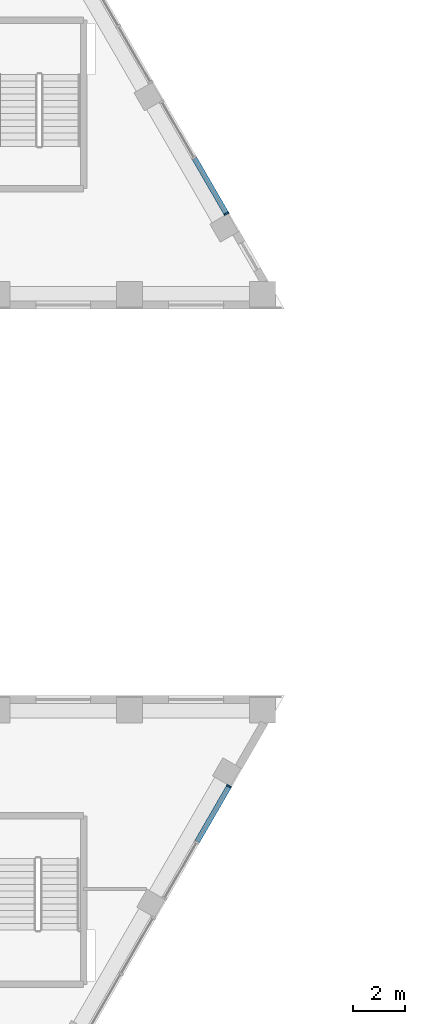
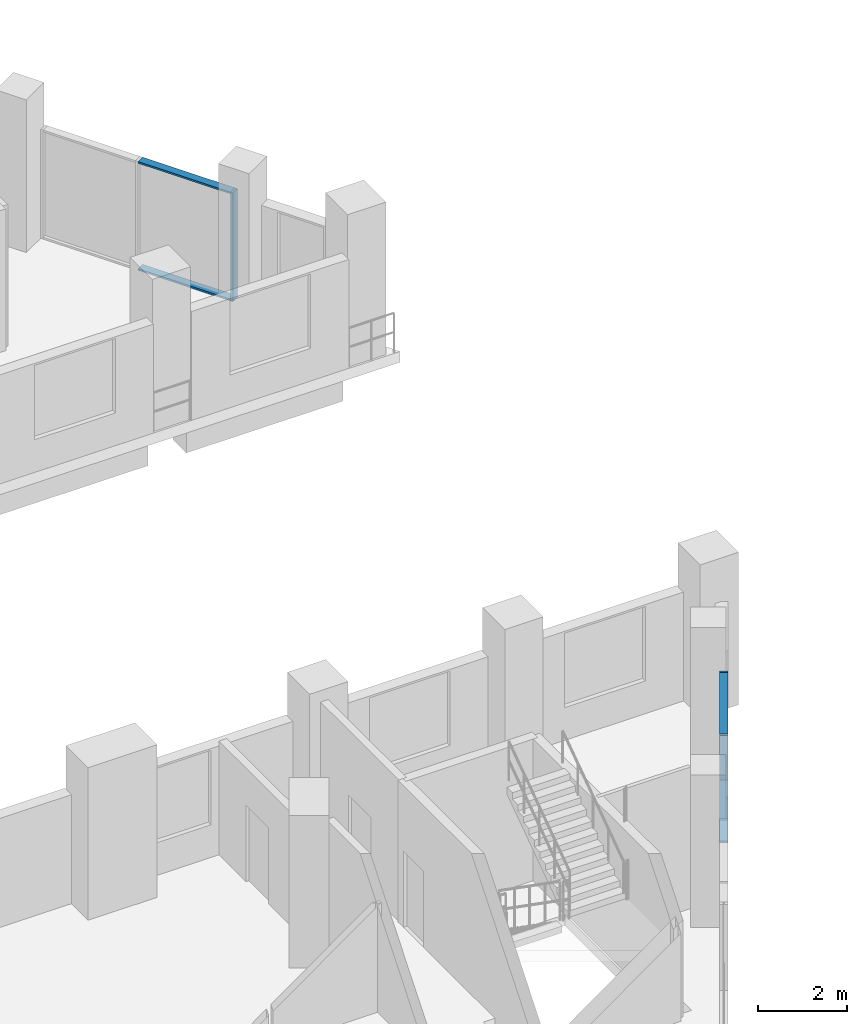
# One storey, part 5 of 33: 6 members, 2 elements without a shape of their own.
"""IFC4 building model written with IfcOpenShell, lengths in metres."""

from ifc_helpers import new_model, si_unit, direction, frame, origin, origin_2d, place, context, subcontext, project, spatial, rectangle, extrude, material, layer, layer_set, material_profile, profile_set, type_object, element, aggregate, save


model = new_model("IFC4")

# Units and contexts
model_context = context("Model", 3, precision=1e-05, world=origin(), true_north=direction((0.0, 1.0)))
body_context = subcontext(model_context, "Body", "Model", "MODEL_VIEW")
ifc_project = project(units=[si_unit("LENGTHUNIT", "METRE"), si_unit("AREAUNIT", "SQUARE_METRE"), si_unit("VOLUMEUNIT", "CUBIC_METRE"), si_unit("PLANEANGLEUNIT", "RADIAN"), si_unit("MASSUNIT", "GRAM", prefix="KILO")], contexts=[model_context])

# Site, building, storey
site_placement = place(None, origin())
site = spatial("IfcSite", under=ifc_project, at=site_placement, CompositionType="ELEMENT")
building_placement = place(site_placement, origin())
building = spatial("IfcBuilding", under=site, at=building_placement, Name="Nakaniwa Court", CompositionType="ELEMENT")
storey_placement = place(building_placement, frame((0.0, 0.0, 19.800048828125)))
storey = spatial("IfcBuildingStorey", under=building, at=storey_placement, Name="L04", CompositionType="ELEMENT", Elevation=19.800048828125)

# Curtain wall, member
ifc_material_1 = material(Name="Black anodised aluminium frame with dark low-E laminated double glazing", Category="aluminium")
ifc_layer = layer(ifc_material_1, 0.199951171875)
ifc_layer_set = layer_set([ifc_layer], Name="Black anodised aluminium frame with dark low-E laminated double glazing")
curtain_wall_type = type_object("IfcCurtainWallType", Name="Podium unitised curtain wall", PredefinedType="NOTDEFINED", material=ifc_layer_set)
curtain_wall_1_placement = place(storey_placement, origin())
curtain_wall_1 = element("IfcCurtainWall", 1, at=curtain_wall_1_placement, inside=storey, type_object=curtain_wall_type, Name="L04 curtain wall CW1 02", PredefinedType="NOTDEFINED")
ifc_material_2 = material(Name="Black anodised aluminium extrusion", Category="aluminium")
ifc_material_profile_1 = material_profile(ifc_material_2, rectangle(XDim=0.199951171875, YDim=0.06494140625, at=origin_2d()), Name="Podium unitised curtain wall mullion 65x200")
ifc_profile_set_1 = profile_set([ifc_material_profile_1], Name="Black anodised aluminium extrusion")
member_type_1 = type_object("IfcMemberType", Name="Podium unitised curtain wall mullion 65x200", PredefinedType="MULLION", material=ifc_profile_set_1)
member_1_placement = place(storey_placement, frame((111.71337890625, 69.129150390625, 0.0), z_axis=(0.0, 0.0, 1.0), x_axis=(-0.866023723106, 0.500002911009, 0.0)))
member_1 = element("IfcMember", 2, at=member_1_placement, type_object=member_type_1, Name="CW1 mullion 3", PredefinedType="MULLION", context=body_context, shape_type="SweptSolid", body=[
    extrude(rectangle(XDim=0.199951171875, YDim=0.06494140625, at=origin_2d()), origin(), (0.0, 0.0, 1.0), 3.0),
])

curtain_wall_2_placement = place(storey_placement, origin())
curtain_wall_2 = element("IfcCurtainWall", 3, at=curtain_wall_2_placement, inside=storey, type_object=curtain_wall_type, Name="L04 curtain wall CW1 40", PredefinedType="NOTDEFINED")
member_2_placement = place(storey_placement, frame((111.612060546875, 91.04638671875, 0.0), z_axis=(0.0, 0.0, 1.0), x_axis=(-0.866032365426, -0.499987941889, 0.0)))
member_2 = element("IfcMember", 4, at=member_2_placement, type_object=member_type_1, Name="CW1 mullion 1", PredefinedType="MULLION", context=body_context, shape_type="SweptSolid", body=[
    extrude(rectangle(XDim=0.199951171875, YDim=0.06494140625, at=origin_2d()), origin(), (0.0, 0.0, 1.0), 3.0),
])

# Member
ifc_material_profile_2 = material_profile(ifc_material_2, rectangle(XDim=0.199951171875, YDim=0.050048828125, at=origin_2d()), Name="Podium unitised curtain wall transom 50x200")
ifc_profile_set_2 = profile_set([ifc_material_profile_2], Name="Black anodised aluminium extrusion")
member_type_2 = type_object("IfcMemberType", Name="Podium unitised curtain wall transom 50x200", PredefinedType="USERDEFINED", material=ifc_profile_set_2)
member_3_placement = place(storey_placement, frame((110.4931640625, 67.015869140625, 0.02490234375), z_axis=(0.499988695522, 0.866031930329, 0.0), x_axis=(-0.866031930329, 0.499988695522, 0.0)))
member_3 = element("IfcMember", 5, at=member_3_placement, type_object=member_type_2, Name="CW1 transom 2.1", ObjectType="TRANSOM", PredefinedType="USERDEFINED", context=body_context, shape_type="SweptSolid", body=[
    extrude(rectangle(XDim=0.199951171875, YDim=0.050048828125, at=origin_2d()), origin(), (0.0, 0.0, 1.0), 2.40771484375),
])

member_4_placement = place(storey_placement, frame((110.4931640625, 67.015869140625, 2.974853515625), z_axis=(0.499988695522, 0.866031930329, 0.0), x_axis=(-0.866031930329, 0.499988695522, 0.0)))
member_4 = element("IfcMember", 6, at=member_4_placement, type_object=member_type_2, Name="CW1 transom 2.2", ObjectType="TRANSOM", PredefinedType="USERDEFINED", context=body_context, shape_type="SweptSolid", body=[
    extrude(rectangle(XDim=0.199951171875, YDim=0.050048828125, at=origin_2d()), origin(), (0.0, 0.0, 1.0), 2.40771484375),
])

aggregate(curtain_wall_1, [member_1, member_3, member_4])

member_5_placement = place(storey_placement, frame((111.595703125, 91.07470703125, 0.02490234375), z_axis=(-0.50003260427, 0.866006578882, 0.0), x_axis=(-0.866006578882, -0.50003260427, 0.0)))
member_5 = element("IfcMember", 7, at=member_5_placement, type_object=member_type_2, Name="CW1 transom 1.1", ObjectType="TRANSOM", PredefinedType="USERDEFINED", context=body_context, shape_type="SweptSolid", body=[
    extrude(rectangle(XDim=0.199951171875, YDim=0.050048828125, at=origin_2d()), origin(), (0.0, 0.0, 1.0), 2.407470703125),
])

member_6_placement = place(storey_placement, frame((111.595703125, 91.07470703125, 2.974853515625), z_axis=(-0.50003260427, 0.866006578882, 0.0), x_axis=(-0.866006578882, -0.50003260427, 0.0)))
member_6 = element("IfcMember", 8, at=member_6_placement, type_object=member_type_2, Name="CW1 transom 1.2", ObjectType="TRANSOM", PredefinedType="USERDEFINED", context=body_context, shape_type="SweptSolid", body=[
    extrude(rectangle(XDim=0.199951171875, YDim=0.050048828125, at=origin_2d()), origin(), (0.0, 0.0, 1.0), 2.407470703125),
])

aggregate(curtain_wall_2, [member_2, member_5, member_6])

save(model, "model.ifc")
